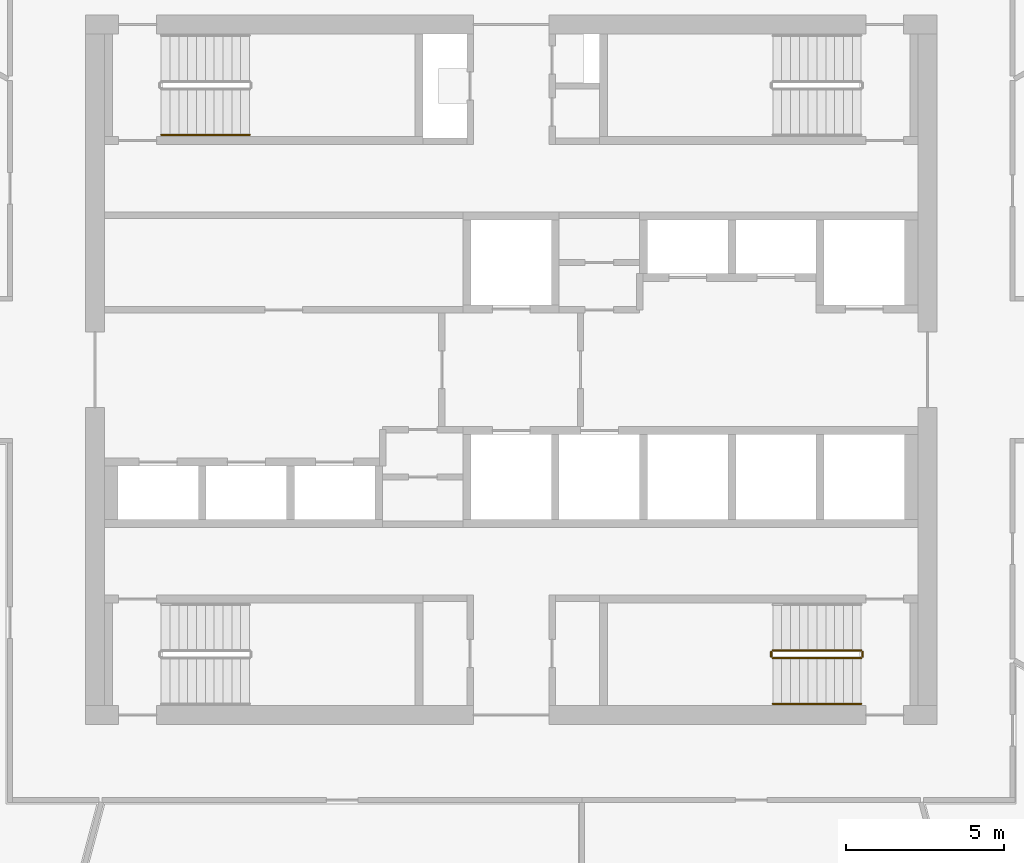
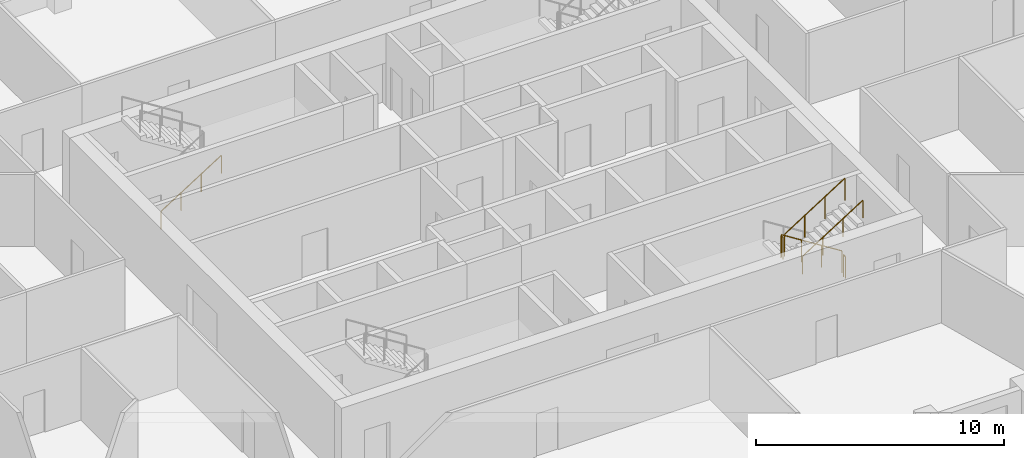
# One storey, part 9 of 11: 6 railings.
"""IFC4 building model written with IfcOpenShell, lengths in metres."""

from ifc_helpers import new_model, si_unit, direction, frame, origin, origin_2d, place, context, subcontext, project, spatial, circle, extrude, material, type_object, element, save


model = new_model("IFC4")

# Units and contexts
model_context = context("Model", 3, precision=1e-05, world=origin(), true_north=direction((0.0, 1.0)))
body_context = subcontext(model_context, "Body", "Model", "MODEL_VIEW")
ifc_project = project(units=[si_unit("LENGTHUNIT", "METRE"), si_unit("AREAUNIT", "SQUARE_METRE"), si_unit("VOLUMEUNIT", "CUBIC_METRE"), si_unit("PLANEANGLEUNIT", "RADIAN"), si_unit("MASSUNIT", "GRAM", prefix="KILO")], contexts=[model_context])

# Site, building, storey
site_placement = place(None, origin())
site = spatial("IfcSite", under=ifc_project, at=site_placement, CompositionType="ELEMENT")
building_placement = place(site_placement, origin())
building = spatial("IfcBuilding", under=site, at=building_placement, Name="Dhurran Vertical Campus", CompositionType="ELEMENT")
storey_placement = place(building_placement, frame((0.0, 0.0, 215.10009765625)))
storey = spatial("IfcBuildingStorey", under=building, at=storey_placement, Name="L53", CompositionType="ELEMENT", Elevation=215.10009765625)

# Railings
ifc_material_1 = material(Name="Stainless steel balustrade", Category="steel")
railing_type_1 = type_object("IfcRailingType", Name="co-RL-GUARD-1100", PredefinedType="GUARDRAIL", material=ifc_material_1)
railing_1_placement = place(storey_placement, frame((11.10009765625, -8.89990234375, 0.17724609375)))
element("IfcRailing", 1, at=railing_1_placement, inside=storey, type_object=railing_type_1, Name="L53 ST4 stair guard 1", PredefinedType="GUARDRAIL", context=body_context, shape_type="SweptSolid", body=[
    extrude(circle(Radius=0.02392578125, at=origin_2d()), frame((0.0, 0.0, 1.076171875), z_axis=(-0.844908973607, 0.0, 0.534910110503), x_axis=(0.0, -1.0, 0.0)), (0.0, 0.0, 1.0), 3.31396484375),
    extrude(circle(Radius=0.02099609375, at=origin_2d()), origin(), (0.0, 0.0, 1.0), 1.052001953125),
    extrude(circle(Radius=0.02099609375, at=origin_2d()), frame((-0.933349609375, 0.0, 0.5908203125)), (0.0, 0.0, 1.0), 1.052001953125),
    extrude(circle(Radius=0.02099609375, at=origin_2d()), frame((-1.86669921875, 0.0, 1.181884765625)), (0.0, 0.0, 1.0), 1.052001953125),
    extrude(circle(Radius=0.02099609375, at=origin_2d()), frame((-2.800048828125, 0.0, 1.772705078125)), (0.0, 0.0, 1.0), 1.052001953125),
])
railing_2_placement = place(storey_placement, frame((8.25, -8.949951171875, 1.949951171875)))
element("IfcRailing", 2, at=railing_2_placement, inside=storey, type_object=railing_type_1, Name="L53 ST4 stair guard 2", PredefinedType="GUARDRAIL", context=body_context, shape_type="SweptSolid", body=[
    extrude(circle(Radius=0.02392578125, at=origin_2d()), frame((0.0, 0.0, 1.076171875), z_axis=(0.0, -1.0, 0.0), x_axis=(1.0, 0.0, 0.0)), (0.0, 0.0, 1.0), 0.150146484375),
    extrude(circle(Radius=0.02099609375, at=origin_2d()), origin(), (0.0, 0.0, 1.0), 1.052001953125),
    extrude(circle(Radius=0.02099609375, at=origin_2d()), frame((0.0, -0.150146484375, 0.0)), (0.0, 0.0, 1.0), 1.052001953125),
])
railing_3_placement = place(storey_placement, frame((8.300048828125, -9.14990234375, 2.127197265625)))
element("IfcRailing", 3, at=railing_3_placement, inside=storey, type_object=railing_type_1, Name="L53 ST4 stair guard 3", PredefinedType="GUARDRAIL", context=body_context, shape_type="SweptSolid", body=[
    extrude(circle(Radius=0.02392578125, at=origin_2d()), frame((0.0, 0.0, 1.076171875), z_axis=(0.844908973607, 0.0, 0.534910110503), x_axis=(0.0, 1.0, 0.0)), (0.0, 0.0, 1.0), 3.31396484375),
    extrude(circle(Radius=0.02099609375, at=origin_2d()), origin(), (0.0, 0.0, 1.0), 1.052001953125),
    extrude(circle(Radius=0.02099609375, at=origin_2d()), frame((0.933349609375, 0.0, 0.5908203125)), (0.0, 0.0, 1.0), 1.052001953125),
    extrude(circle(Radius=0.02099609375, at=origin_2d()), frame((1.86669921875, 0.0, 1.181884765625)), (0.0, 0.0, 1.0), 1.052001953125),
    extrude(circle(Radius=0.02099609375, at=origin_2d()), frame((2.800048828125, 0.0, 1.772705078125)), (0.0, 0.0, 1.0), 1.052001953125),
])
railing_4_placement = place(storey_placement, frame((11.14990234375, -8.949951171875, 0.0)))
element("IfcRailing", 4, at=railing_4_placement, inside=storey, type_object=railing_type_1, Name="L53 ST4 stair guard 4", PredefinedType="GUARDRAIL", context=body_context, shape_type="SweptSolid", body=[
    extrude(circle(Radius=0.02392578125, at=origin_2d()), frame((0.0, 0.0, 1.076171875), z_axis=(0.0, -1.0, 0.0), x_axis=(1.0, 0.0, 0.0)), (0.0, 0.0, 1.0), 0.150146484375),
    extrude(circle(Radius=0.02099609375, at=origin_2d()), origin(), (0.0, 0.0, 1.0), 1.052001953125),
    extrude(circle(Radius=0.02099609375, at=origin_2d()), frame((0.0, -0.150146484375, 0.0)), (0.0, 0.0, 1.0), 1.052001953125),
])
ifc_material_2 = material(Name="Stainless steel handrail", Category="steel")
railing_type_2 = type_object("IfcRailingType", Name="co-RL-HANDRAIL-900", PredefinedType="HANDRAIL", material=ifc_material_2)
for number, where, name in (
    (5, (-11.10009765625, 7.449951171875, 0.17724609375), "L53 ST1 stair handrail 1"),
    (6, (8.300048828125, -10.60009765625, 2.127197265625), "L53 ST4 stair handrail 2"),
):
    element("IfcRailing", number, at=place(storey_placement, frame(where)), inside=storey, type_object=railing_type_2, Name=name, PredefinedType="HANDRAIL", context=body_context, shape_type="SweptSolid", body=[
        extrude(circle(Radius=0.02392578125, at=origin_2d()), frame((0.0, 0.0, 0.8759765625), z_axis=(0.844908973607, 0.0, 0.534910110503), x_axis=(0.0, 1.0, 0.0)), (0.0, 0.0, 1.0), 3.31396484375),
        extrude(circle(Radius=0.02099609375, at=origin_2d()), origin(), (0.0, 0.0, 1.0), 0.851806640625),
        extrude(circle(Radius=0.02099609375, at=origin_2d()), frame((0.933349609375, 0.0, 0.5908203125)), (0.0, 0.0, 1.0), 0.851806640625),
        extrude(circle(Radius=0.02099609375, at=origin_2d()), frame((1.86669921875, 0.0, 1.181884765625)), (0.0, 0.0, 1.0), 0.851806640625),
        extrude(circle(Radius=0.02099609375, at=origin_2d()), frame((2.800048828125, 0.0, 1.772705078125)), (0.0, 0.0, 1.0), 0.851806640625),
    ])

save(model, "model.ifc")
